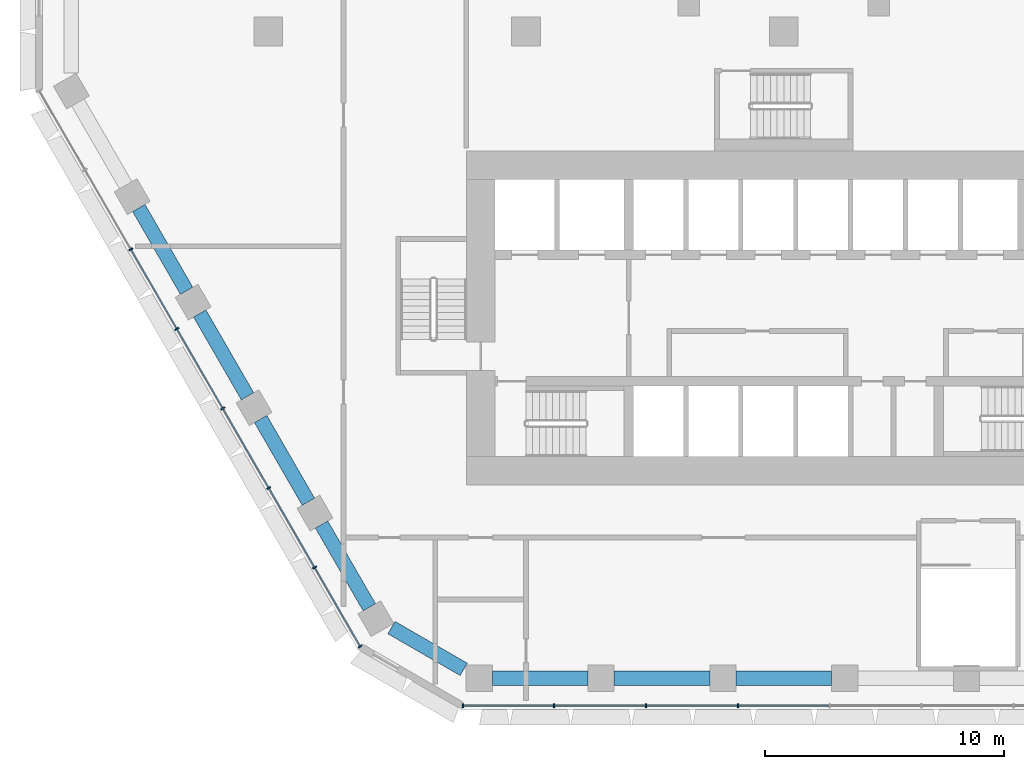
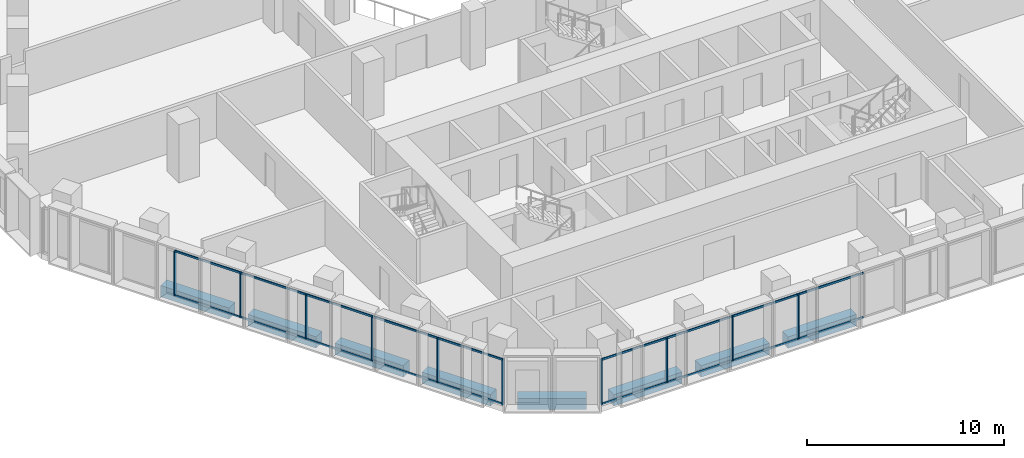
# One storey, part 2 of 21: 28 members, 8 beams, 2 elements without a shape of their own.
"""IFC4 building model written with IfcOpenShell, lengths in metres."""

from ifc_helpers import new_model, si_unit, direction, frame, origin, origin_2d, place, context, subcontext, project, spatial, rectangle, hollow_rectangle, extrude, material, material_profile, profile_set, type_object, element, aggregate, save


model = new_model("IFC4")

# Units and contexts
model_context = context("Model", 3, precision=1e-05, world=origin(), true_north=direction((0.0, 1.0)))
body_context = subcontext(model_context, "Body", "Model", "MODEL_VIEW")
ifc_project = project(units=[si_unit("LENGTHUNIT", "METRE"), si_unit("AREAUNIT", "SQUARE_METRE"), si_unit("VOLUMEUNIT", "CUBIC_METRE"), si_unit("PLANEANGLEUNIT", "RADIAN"), si_unit("MASSUNIT", "GRAM", prefix="KILO")], contexts=[model_context])

# Site, building, storey
site_placement = place(None, origin())
site = spatial("IfcSite", under=ifc_project, at=site_placement, CompositionType="ELEMENT")
building_placement = place(site_placement, origin())
building = spatial("IfcBuilding", under=site, at=building_placement, Name="Beryl Residences", CompositionType="ELEMENT")
storey_placement = place(building_placement, frame((0.0, 0.0, 19.800048828125)))
storey = spatial("IfcBuildingStorey", under=building, at=storey_placement, Name="L05", CompositionType="ELEMENT", Elevation=19.800048828125)

# Curtain wall, members
ifc_material_1 = material(Name="Aluminium and clear glass", Category="aluminium")
curtain_wall_type = type_object("IfcCurtainWallType", Name="CW2 amenity glazing glazed wall", PredefinedType="NOTDEFINED", material=ifc_material_1)
curtain_wall_1_placement = place(storey_placement, origin())
curtain_wall_1 = element("IfcCurtainWall", 1, at=curtain_wall_1_placement, inside=storey, type_object=curtain_wall_type, Name="CW2 L05 SW", PredefinedType="NOTDEFINED")
ifc_material_2 = material(Name="Aluminium", Category="aluminium")
ifc_material_profile_1 = material_profile(ifc_material_2, rectangle(XDim=0.06005859375, YDim=0.179931640625, at=origin_2d()))
ifc_profile_set_1 = profile_set([ifc_material_profile_1], Name="Aluminium")
member_type_1 = type_object("IfcMemberType", Name="CW2-M mullion 60 x 180 mm", PredefinedType="MULLION", material=ifc_profile_set_1)
member_1_placement = place(storey_placement, frame((-27.351318359375, -9.125732421875, 0.0), z_axis=(0.0, 0.0, 1.0), x_axis=(0.500011643322, -0.866018681405, 0.0)))
member_1 = element("IfcMember", 2, at=member_1_placement, type_object=member_type_1, Name="CW2 mullion 3", PredefinedType="MULLION", context=body_context, shape_type="SweptSolid", body=[
    extrude(rectangle(XDim=0.06005859375, YDim=0.179931640625, at=origin_2d()), origin(), (0.0, 0.0, 1.0), 2.800048828125),
])
member_2_placement = place(storey_placement, frame((-25.42724609375, -12.45849609375, 0.0), z_axis=(0.0, 0.0, 1.0), x_axis=(0.500011643322, -0.866018681405, 0.0)))
member_2 = element("IfcMember", 3, at=member_2_placement, type_object=member_type_1, Name="CW2 mullion 4", PredefinedType="MULLION", context=body_context, shape_type="SweptSolid", body=[
    extrude(rectangle(XDim=0.06005859375, YDim=0.179931640625, at=origin_2d()), origin(), (0.0, 0.0, 1.0), 2.800048828125),
])
member_3_placement = place(storey_placement, frame((-23.5029296875, -15.79150390625, 0.0), z_axis=(0.0, 0.0, 1.0), x_axis=(0.500011643322, -0.866018681405, 0.0)))
member_3 = element("IfcMember", 4, at=member_3_placement, type_object=member_type_1, Name="CW2 mullion 5", PredefinedType="MULLION", context=body_context, shape_type="SweptSolid", body=[
    extrude(rectangle(XDim=0.06005859375, YDim=0.179931640625, at=origin_2d()), origin(), (0.0, 0.0, 1.0), 2.800048828125),
])
member_4_placement = place(storey_placement, frame((-21.57861328125, -19.124267578125, 0.0), z_axis=(0.0, 0.0, 1.0), x_axis=(0.500011643322, -0.866018681405, 0.0)))
member_4 = element("IfcMember", 5, at=member_4_placement, type_object=member_type_1, Name="CW2 mullion 6", PredefinedType="MULLION", context=body_context, shape_type="SweptSolid", body=[
    extrude(rectangle(XDim=0.06005859375, YDim=0.179931640625, at=origin_2d()), origin(), (0.0, 0.0, 1.0), 2.800048828125),
])
member_5_placement = place(storey_placement, frame((-19.654296875, -22.45703125, 0.0), z_axis=(0.0, 0.0, 1.0), x_axis=(0.500011643322, -0.866018681405, 0.0)))
member_5 = element("IfcMember", 6, at=member_5_placement, type_object=member_type_1, Name="CW2 mullion 7", PredefinedType="MULLION", context=body_context, shape_type="SweptSolid", body=[
    extrude(rectangle(XDim=0.06005859375, YDim=0.179931640625, at=origin_2d()), origin(), (0.0, 0.0, 1.0), 2.800048828125),
])
member_6_placement = place(storey_placement, frame((-17.7451171875, -25.763916015625, 0.0), z_axis=(0.0, 0.0, 1.0), x_axis=(0.500011643322, -0.866018681405, 0.0)))
member_6 = element("IfcMember", 7, at=member_6_placement, type_object=member_type_1, Name="CW2 mullion 8", PredefinedType="MULLION", context=body_context, shape_type="SweptSolid", body=[
    extrude(rectangle(XDim=0.06005859375, YDim=0.179931640625, at=origin_2d()), origin(), (0.0, 0.0, 1.0), 2.800048828125),
])

curtain_wall_2_placement = place(storey_placement, origin())
curtain_wall_2 = element("IfcCurtainWall", 8, at=curtain_wall_2_placement, inside=storey, type_object=curtain_wall_type, Name="CW2 L05 S", PredefinedType="NOTDEFINED")
member_7_placement = place(storey_placement, frame((-13.43994140625, -28.25, 0.0), z_axis=(0.0, 0.0, 1.0), x_axis=(1.0, 0.0, 0.0)))
member_7 = element("IfcMember", 9, at=member_7_placement, type_object=member_type_1, Name="CW2 mullion 1", PredefinedType="MULLION", context=body_context, shape_type="SweptSolid", body=[
    extrude(rectangle(XDim=0.06005859375, YDim=0.179931640625, at=origin_2d()), origin(), (0.0, 0.0, 1.0), 2.800048828125),
])
member_8_placement = place(storey_placement, frame((-9.621337890625, -28.25, 0.0), z_axis=(0.0, 0.0, 1.0), x_axis=(1.0, 0.0, 0.0)))
member_8 = element("IfcMember", 10, at=member_8_placement, type_object=member_type_1, Name="CW2 mullion 2", PredefinedType="MULLION", context=body_context, shape_type="SweptSolid", body=[
    extrude(rectangle(XDim=0.06005859375, YDim=0.179931640625, at=origin_2d()), origin(), (0.0, 0.0, 1.0), 2.800048828125),
])
member_9_placement = place(storey_placement, frame((-5.77294921875, -28.25, 0.0), z_axis=(0.0, 0.0, 1.0), x_axis=(1.0, 0.0, 0.0)))
member_9 = element("IfcMember", 11, at=member_9_placement, type_object=member_type_1, Name="CW2 mullion 3", PredefinedType="MULLION", context=body_context, shape_type="SweptSolid", body=[
    extrude(rectangle(XDim=0.06005859375, YDim=0.179931640625, at=origin_2d()), origin(), (0.0, 0.0, 1.0), 2.800048828125),
])
member_10_placement = place(storey_placement, frame((-1.92431640625, -28.25, 0.0), z_axis=(0.0, 0.0, 1.0), x_axis=(1.0, 0.0, 0.0)))
member_10 = element("IfcMember", 12, at=member_10_placement, type_object=member_type_1, Name="CW2 mullion 4", PredefinedType="MULLION", context=body_context, shape_type="SweptSolid", body=[
    extrude(rectangle(XDim=0.06005859375, YDim=0.179931640625, at=origin_2d()), origin(), (0.0, 0.0, 1.0), 2.800048828125),
])

# Member
ifc_material_3 = material(Name="Aluminium", Category="aluminium")
ifc_material_profile_2 = material_profile(ifc_material_3, hollow_rectangle(XDim=0.06005859375, YDim=0.1201171875, WallThickness=0.00390625, at=origin_2d()))
ifc_profile_set_2 = profile_set([ifc_material_profile_2], Name="Aluminium")
member_type_2 = type_object("IfcMemberType", Name="CW2-T transom 60 x 120 mm", PredefinedType="USERDEFINED", material=ifc_profile_set_2)
member_11_placement = place(storey_placement, frame((-27.33642578125, -9.151611328125, 0.030029296875), z_axis=(0.499999503755, -0.866025690291, 0.0), x_axis=(0.866025690291, 0.499999503755, 0.0)))
member_11 = element("IfcMember", 13, at=member_11_placement, type_object=member_type_2, Name="CW2 transom 3.1", ObjectType="TRANSOM", PredefinedType="USERDEFINED", context=body_context, shape_type="SweptSolid", body=[
    extrude(hollow_rectangle(XDim=0.06005859375, YDim=0.1201171875, WallThickness=0.00390625, at=origin_2d()), origin(), (0.0, 0.0, 1.0), 3.78857421875),
])

member_12_placement = place(storey_placement, frame((-27.33642578125, -9.151611328125, 2.77001953125), z_axis=(0.499999503755, -0.866025690291, 0.0), x_axis=(0.866025690291, 0.499999503755, 0.0)))
member_12 = element("IfcMember", 14, at=member_12_placement, type_object=member_type_2, Name="CW2 transom 3.2", ObjectType="TRANSOM", PredefinedType="USERDEFINED", context=body_context, shape_type="SweptSolid", body=[
    extrude(hollow_rectangle(XDim=0.06005859375, YDim=0.1201171875, WallThickness=0.00390625, at=origin_2d()), origin(), (0.0, 0.0, 1.0), 3.78857421875),
])

member_13_placement = place(storey_placement, frame((-25.412109375, -12.484619140625, 0.030029296875), z_axis=(0.500027408906, -0.866009578667, 0.0), x_axis=(0.866009578667, 0.500027408906, 0.0)))
member_13 = element("IfcMember", 15, at=member_13_placement, type_object=member_type_2, Name="CW2 transom 4.1", ObjectType="TRANSOM", PredefinedType="USERDEFINED", context=body_context, shape_type="SweptSolid", body=[
    extrude(hollow_rectangle(XDim=0.06005859375, YDim=0.1201171875, WallThickness=0.00390625, at=origin_2d()), origin(), (0.0, 0.0, 1.0), 3.788330078125),
])

member_14_placement = place(storey_placement, frame((-25.412109375, -12.484619140625, 2.77001953125), z_axis=(0.500027408906, -0.866009578667, 0.0), x_axis=(0.866009578667, 0.500027408906, 0.0)))
member_14 = element("IfcMember", 16, at=member_14_placement, type_object=member_type_2, Name="CW2 transom 4.2", ObjectType="TRANSOM", PredefinedType="USERDEFINED", context=body_context, shape_type="SweptSolid", body=[
    extrude(hollow_rectangle(XDim=0.06005859375, YDim=0.1201171875, WallThickness=0.00390625, at=origin_2d()), origin(), (0.0, 0.0, 1.0), 3.788330078125),
])

member_15_placement = place(storey_placement, frame((-23.48779296875, -15.8173828125, 0.030029296875), z_axis=(0.499999503755, -0.866025690291, 0.0), x_axis=(0.866025690291, 0.499999503755, 0.0)))
member_15 = element("IfcMember", 17, at=member_15_placement, type_object=member_type_2, Name="CW2 transom 5.1", ObjectType="TRANSOM", PredefinedType="USERDEFINED", context=body_context, shape_type="SweptSolid", body=[
    extrude(hollow_rectangle(XDim=0.06005859375, YDim=0.1201171875, WallThickness=0.00390625, at=origin_2d()), origin(), (0.0, 0.0, 1.0), 3.78857421875),
])

member_16_placement = place(storey_placement, frame((-23.48779296875, -15.8173828125, 2.77001953125), z_axis=(0.499999503755, -0.866025690291, 0.0), x_axis=(0.866025690291, 0.499999503755, 0.0)))
member_16 = element("IfcMember", 18, at=member_16_placement, type_object=member_type_2, Name="CW2 transom 5.2", ObjectType="TRANSOM", PredefinedType="USERDEFINED", context=body_context, shape_type="SweptSolid", body=[
    extrude(hollow_rectangle(XDim=0.06005859375, YDim=0.1201171875, WallThickness=0.00390625, at=origin_2d()), origin(), (0.0, 0.0, 1.0), 3.78857421875),
])

member_17_placement = place(storey_placement, frame((-21.5634765625, -19.150146484375, 0.030029296875), z_axis=(0.499999503755, -0.866025690291, 0.0), x_axis=(0.866025690291, 0.499999503755, 0.0)))
member_17 = element("IfcMember", 19, at=member_17_placement, type_object=member_type_2, Name="CW2 transom 6.1", ObjectType="TRANSOM", PredefinedType="USERDEFINED", context=body_context, shape_type="SweptSolid", body=[
    extrude(hollow_rectangle(XDim=0.06005859375, YDim=0.1201171875, WallThickness=0.00390625, at=origin_2d()), origin(), (0.0, 0.0, 1.0), 3.78857421875),
])

member_18_placement = place(storey_placement, frame((-21.5634765625, -19.150146484375, 2.77001953125), z_axis=(0.499999503755, -0.866025690291, 0.0), x_axis=(0.866025690291, 0.499999503755, 0.0)))
member_18 = element("IfcMember", 20, at=member_18_placement, type_object=member_type_2, Name="CW2 transom 6.2", ObjectType="TRANSOM", PredefinedType="USERDEFINED", context=body_context, shape_type="SweptSolid", body=[
    extrude(hollow_rectangle(XDim=0.06005859375, YDim=0.1201171875, WallThickness=0.00390625, at=origin_2d()), origin(), (0.0, 0.0, 1.0), 3.78857421875),
])

member_19_placement = place(storey_placement, frame((-19.639404296875, -22.483154296875, 0.030029296875), z_axis=(0.500037327496, -0.866003851672, 0.0), x_axis=(0.866003851672, 0.500037327496, 0.0)))
member_19 = element("IfcMember", 21, at=member_19_placement, type_object=member_type_2, Name="CW2 transom 7.1", ObjectType="TRANSOM", PredefinedType="USERDEFINED", context=body_context, shape_type="SweptSolid", body=[
    extrude(hollow_rectangle(XDim=0.06005859375, YDim=0.1201171875, WallThickness=0.00390625, at=origin_2d()), origin(), (0.0, 0.0, 1.0), 3.758544921875),
])

member_20_placement = place(storey_placement, frame((-19.639404296875, -22.483154296875, 2.77001953125), z_axis=(0.500037327496, -0.866003851672, 0.0), x_axis=(0.866003851672, 0.500037327496, 0.0)))
member_20 = element("IfcMember", 22, at=member_20_placement, type_object=member_type_2, Name="CW2 transom 7.2", ObjectType="TRANSOM", PredefinedType="USERDEFINED", context=body_context, shape_type="SweptSolid", body=[
    extrude(hollow_rectangle(XDim=0.06005859375, YDim=0.1201171875, WallThickness=0.00390625, at=origin_2d()), origin(), (0.0, 0.0, 1.0), 3.758544921875),
])

aggregate(curtain_wall_1, [member_1, member_2, member_3, member_4, member_5, member_6, member_11, member_12, member_13, member_14, member_15, member_16, member_17, member_18, member_19, member_20])

member_21_placement = place(storey_placement, frame((-13.409912109375, -28.25, 0.030029296875), z_axis=(1.0, 0.0, 0.0), x_axis=(0.0, 1.0, 0.0)))
member_21 = element("IfcMember", 23, at=member_21_placement, type_object=member_type_2, Name="CW2 transom 1.1", ObjectType="TRANSOM", PredefinedType="USERDEFINED", context=body_context, shape_type="SweptSolid", body=[
    extrude(hollow_rectangle(XDim=0.06005859375, YDim=0.1201171875, WallThickness=0.00390625, at=origin_2d()), origin(), (0.0, 0.0, 1.0), 3.758544921875),
])

member_22_placement = place(storey_placement, frame((-13.409912109375, -28.25, 2.77001953125), z_axis=(1.0, 0.0, 0.0), x_axis=(0.0, 1.0, 0.0)))
member_22 = element("IfcMember", 24, at=member_22_placement, type_object=member_type_2, Name="CW2 transom 1.2", ObjectType="TRANSOM", PredefinedType="USERDEFINED", context=body_context, shape_type="SweptSolid", body=[
    extrude(hollow_rectangle(XDim=0.06005859375, YDim=0.1201171875, WallThickness=0.00390625, at=origin_2d()), origin(), (0.0, 0.0, 1.0), 3.758544921875),
])

member_23_placement = place(storey_placement, frame((-9.59130859375, -28.25, 0.030029296875), z_axis=(1.0, 0.0, 0.0), x_axis=(0.0, 1.0, 0.0)))
member_23 = element("IfcMember", 25, at=member_23_placement, type_object=member_type_2, Name="CW2 transom 2.1", ObjectType="TRANSOM", PredefinedType="USERDEFINED", context=body_context, shape_type="SweptSolid", body=[
    extrude(hollow_rectangle(XDim=0.06005859375, YDim=0.1201171875, WallThickness=0.00390625, at=origin_2d()), origin(), (0.0, 0.0, 1.0), 3.788330078125),
])

member_24_placement = place(storey_placement, frame((-9.59130859375, -28.25, 2.77001953125), z_axis=(1.0, 0.0, 0.0), x_axis=(0.0, 1.0, 0.0)))
member_24 = element("IfcMember", 26, at=member_24_placement, type_object=member_type_2, Name="CW2 transom 2.2", ObjectType="TRANSOM", PredefinedType="USERDEFINED", context=body_context, shape_type="SweptSolid", body=[
    extrude(hollow_rectangle(XDim=0.06005859375, YDim=0.1201171875, WallThickness=0.00390625, at=origin_2d()), origin(), (0.0, 0.0, 1.0), 3.788330078125),
])

member_25_placement = place(storey_placement, frame((-5.742919921875, -28.25, 0.030029296875), z_axis=(1.0, 0.0, 0.0), x_axis=(0.0, 1.0, 0.0)))
member_25 = element("IfcMember", 27, at=member_25_placement, type_object=member_type_2, Name="CW2 transom 3.1", ObjectType="TRANSOM", PredefinedType="USERDEFINED", context=body_context, shape_type="SweptSolid", body=[
    extrude(hollow_rectangle(XDim=0.06005859375, YDim=0.1201171875, WallThickness=0.00390625, at=origin_2d()), origin(), (0.0, 0.0, 1.0), 3.78857421875),
])

member_26_placement = place(storey_placement, frame((-5.742919921875, -28.25, 2.77001953125), z_axis=(1.0, 0.0, 0.0), x_axis=(0.0, 1.0, 0.0)))
member_26 = element("IfcMember", 28, at=member_26_placement, type_object=member_type_2, Name="CW2 transom 3.2", ObjectType="TRANSOM", PredefinedType="USERDEFINED", context=body_context, shape_type="SweptSolid", body=[
    extrude(hollow_rectangle(XDim=0.06005859375, YDim=0.1201171875, WallThickness=0.00390625, at=origin_2d()), origin(), (0.0, 0.0, 1.0), 3.78857421875),
])

member_27_placement = place(storey_placement, frame((-1.894287109375, -28.25, 0.030029296875), z_axis=(1.0, 0.0, 0.0), x_axis=(0.0, 1.0, 0.0)))
member_27 = element("IfcMember", 29, at=member_27_placement, type_object=member_type_2, Name="CW2 transom 4.1", ObjectType="TRANSOM", PredefinedType="USERDEFINED", context=body_context, shape_type="SweptSolid", body=[
    extrude(hollow_rectangle(XDim=0.06005859375, YDim=0.1201171875, WallThickness=0.00390625, at=origin_2d()), origin(), (0.0, 0.0, 1.0), 3.78857421875),
])

member_28_placement = place(storey_placement, frame((-1.894287109375, -28.25, 2.77001953125), z_axis=(1.0, 0.0, 0.0), x_axis=(0.0, 1.0, 0.0)))
member_28 = element("IfcMember", 30, at=member_28_placement, type_object=member_type_2, Name="CW2 transom 4.2", ObjectType="TRANSOM", PredefinedType="USERDEFINED", context=body_context, shape_type="SweptSolid", body=[
    extrude(hollow_rectangle(XDim=0.06005859375, YDim=0.1201171875, WallThickness=0.00390625, at=origin_2d()), origin(), (0.0, 0.0, 1.0), 3.78857421875),
])

aggregate(curtain_wall_2, [member_7, member_8, member_9, member_10, member_21, member_22, member_23, member_24, member_25, member_26, member_27, member_28])

# Beams
ifc_material_4 = material(Name="Concrete C80/95", Category="concrete")
ifc_material_profile_3 = material_profile(ifc_material_4, rectangle(XDim=0.60009765625, YDim=0.699951171875, at=origin_2d()))
ifc_profile_set_3 = profile_set([ifc_material_profile_3], Name="Concrete C80/95")
beam_type = type_object("IfcBeamType", Name="SB1 spandrel beam 600 x 700 C80/95", PredefinedType="SPANDREL", material=ifc_profile_set_3)
for number, where, z_axis, x_axis, name in (
    (31, (-27.02197265625, -7.39697265625, -0.699951171875), (0.499942357345, -0.866058681229, 0.0), (0.866058681229, 0.499942357345, 0.0), "SB1 L05 SW-1"),
    (32, (-24.469970703125, -11.81689453125, -0.699951171875), (0.499942357345, -0.866058681229, 0.0), (0.866058681229, 0.499942357345, 0.0), "SB1 L05 SW-2"),
    (33, (-21.91796875, -16.237060546875, -0.699951171875), (0.499942357345, -0.866058681229, 0.0), (0.866058681229, 0.499942357345, 0.0), "SB1 L05 SW-3"),
    (34, (-19.365966796875, -20.656982421875, -0.699951171875), (0.499942357345, -0.866058681229, 0.0), (0.866058681229, 0.499942357345, 0.0), "SB1 L05 SW-4"),
):
    element("IfcBeam", number, at=place(storey_placement, frame(where, z_axis=z_axis, x_axis=x_axis)), inside=storey, type_object=beam_type, Name=name, PredefinedType="SPANDREL", context=body_context, shape_type="SweptSolid", body=[
        extrude(rectangle(XDim=0.60009765625, YDim=0.699951171875, at=origin_2d()), origin(), (0.0, 0.0, 1.0), 4.00439453125),
    ])
beam_placement = place(storey_placement, frame((-16.43896484375, -24.97607421875, -0.699951171875), z_axis=(0.866070549782, -0.499921796684, 0.0), x_axis=(0.499921796684, 0.866070549782, 0.0)))
element("IfcBeam", 35, at=beam_placement, inside=storey, type_object=beam_type, Name="SB1 L05 SW-5", PredefinedType="SPANDREL", context=body_context, shape_type="SweptSolid", body=[
    extrude(rectangle(XDim=0.60009765625, YDim=0.699951171875, at=origin_2d()), origin(), (0.0, 0.0, 1.0), 3.49853515625),
])
for number, where, z_axis, x_axis, name in (
    (36, (-12.208984375, -27.10009765625, -0.699951171875), (1.0, 0.0, 0.0), (0.0, 1.0, 0.0), "SB1 L05 S-0"),
    (37, (-7.10498046875, -27.10009765625, -0.699951171875), (1.0, 0.0, 0.0), (0.0, 1.0, 0.0), "SB1 L05 S-1"),
    (38, (-2.0009765625, -27.10009765625, -0.699951171875), (1.0, 0.0, 0.0), (0.0, 1.0, 0.0), "SB1 L05 S-2"),
):
    element("IfcBeam", number, at=place(storey_placement, frame(where, z_axis=z_axis, x_axis=x_axis)), inside=storey, type_object=beam_type, Name=name, PredefinedType="SPANDREL", context=body_context, shape_type="SweptSolid", body=[
        extrude(rectangle(XDim=0.60009765625, YDim=0.699951171875, at=origin_2d()), origin(), (0.0, 0.0, 1.0), 4.00390625),
    ])

save(model, "model.ifc")
